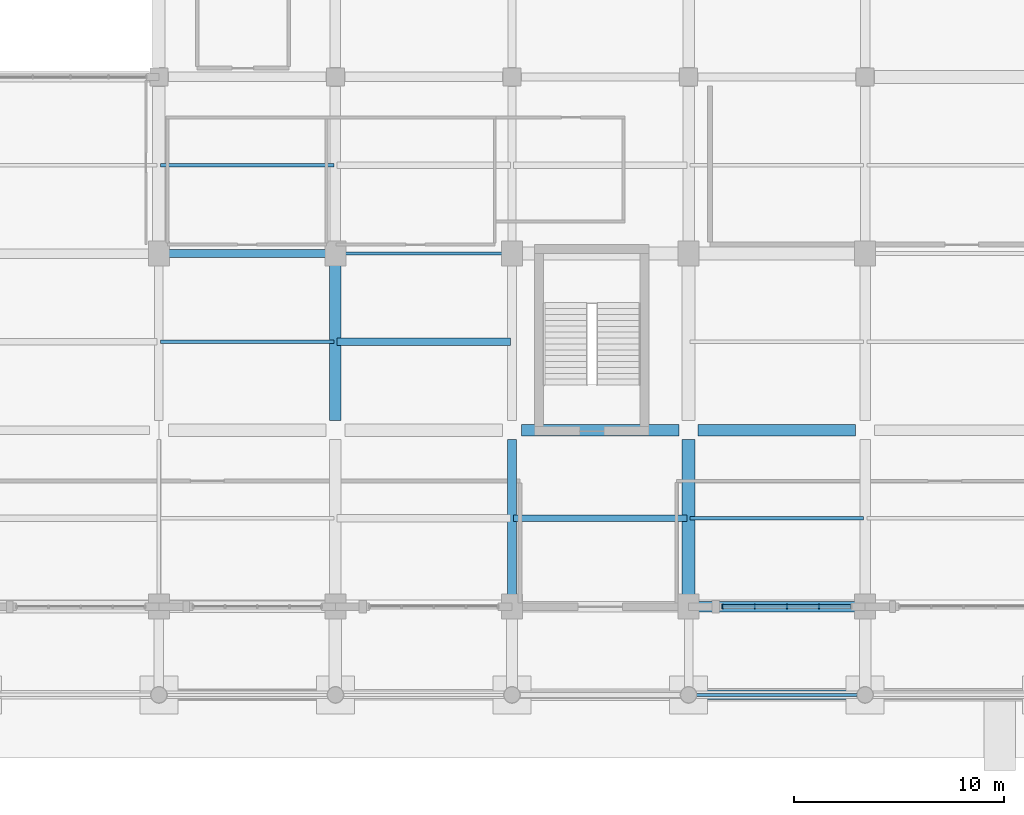
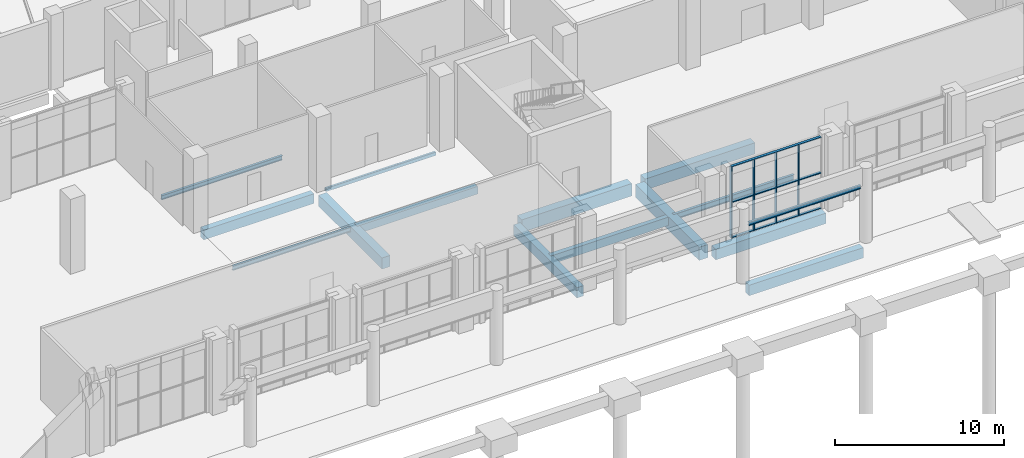
# One storey, part 48 of 82: 15 beams, 7 members, 1 element without a shape of its own.
"""IFC4 building model written with IfcOpenShell, lengths in metres."""

from ifc_helpers import new_model, si_unit, derived_unit, direction, frame, origin, origin_2d, place, context, subcontext, project, spatial, rectangle, hollow_rectangle, i_section, extrude, material, material_profile, profile_set, type_object, element, aggregate, save


model = new_model("IFC4")

# Units and contexts
model_context = context("Model", 3, precision=1e-05, world=origin(), true_north=direction((0.0, 1.0)))
body_context = subcontext(model_context, "Body", "Model", "MODEL_VIEW")
ifc_project = project(units=[si_unit("LENGTHUNIT", "METRE"), si_unit("AREAUNIT", "SQUARE_METRE"), si_unit("VOLUMEUNIT", "CUBIC_METRE"), si_unit("PLANEANGLEUNIT", "RADIAN"), si_unit("MASSUNIT", "GRAM", prefix="KILO"), derived_unit("THERMALTRANSMITTANCEUNIT", [(si_unit("POWERUNIT", "WATT"), 1), (si_unit("LENGTHUNIT", "METRE"), -2), (si_unit("THERMODYNAMICTEMPERATUREUNIT", "KELVIN"), -1)])], contexts=[model_context])

# Site, building, storey
site_placement = place(None, origin())
site = spatial("IfcSite", under=ifc_project, at=site_placement, CompositionType="ELEMENT")
building_placement = place(site_placement, origin())
building = spatial("IfcBuilding", under=site, at=building_placement, Name="Barrovel Congress Hotel", CompositionType="ELEMENT")
storey_placement = place(building_placement, origin())
storey = spatial("IfcBuildingStorey", under=building, at=storey_placement, Name="L00", CompositionType="ELEMENT", Elevation=0.0)

# Beams
ifc_material_1 = material(Name="Concrete C40", Category="concrete")
ifc_material_profile_1 = material_profile(ifc_material_1, rectangle(XDim=0.300048828125, YDim=0.60009765625, at=origin_2d()), Name="RC300x600")
ifc_profile_set_1 = profile_set([ifc_material_profile_1], Name="Concrete C40")
beam_type_1 = type_object("IfcBeamType", Name="BM-RC300x600", PredefinedType="JOIST", material=ifc_profile_set_1)
beam_1_placement = place(storey_placement, frame((142.8798828125, 8.39990234375, -0.6201171875), z_axis=(1.0, 0.0, 0.0), x_axis=(0.0, 1.0, 0.0)))
element("IfcBeam", 1, at=beam_1_placement, inside=storey, type_object=beam_type_1, Name="JST:L00:142.8:8.4", PredefinedType="JOIST", context=body_context, shape_type="SweptSolid", body=[
    extrude(rectangle(XDim=0.300048828125, YDim=0.60009765625, at=origin_2d()), origin(), (0.0, 0.0, 1.0), 8.240234375),
])
ifc_material_profile_2 = material_profile(ifc_material_1, rectangle(XDim=0.35009765625, YDim=0.550048828125, at=origin_2d()), Name="RC350x550")
ifc_profile_set_2 = profile_set([ifc_material_profile_2], Name="Concrete C40")
beam_type_2 = type_object("IfcBeamType", Name="BM-RC350x550", PredefinedType="JOIST", material=ifc_profile_set_2)
beam_2_placement = place(storey_placement, frame((134.47998046875, 16.800048828125, -0.594970703125), z_axis=(1.0, 0.0, 0.0), x_axis=(0.0, 1.0, 0.0)))
element("IfcBeam", 2, at=beam_2_placement, inside=storey, type_object=beam_type_2, Name="JST:L00:134.4:16.8", PredefinedType="JOIST", context=body_context, shape_type="SweptSolid", body=[
    extrude(rectangle(XDim=0.35009765625, YDim=0.550048828125, at=origin_2d()), origin(), (0.0, 0.0, 1.0), 8.239990234375),
])
ifc_material_profile_3 = material_profile(ifc_material_1, rectangle(XDim=0.39990234375, YDim=0.699951171875, at=origin_2d()), Name="RC400x700")
ifc_profile_set_3 = profile_set([ifc_material_profile_3], Name="Concrete C40")
beam_type_3 = type_object("IfcBeamType", Name="BM-RC400x700", PredefinedType="BEAM", material=ifc_profile_set_3)
beam_3_placement = place(storey_placement, frame((126.449951171875, 21.0, -0.669921875), z_axis=(1.0, 0.0, 0.0), x_axis=(0.0, 1.0, 0.0)))
element("IfcBeam", 3, at=beam_3_placement, inside=storey, type_object=beam_type_3, Name="BMX:L00:21.0:126.0-134.4", PredefinedType="BEAM", context=body_context, shape_type="SweptSolid", body=[
    extrude(rectangle(XDim=0.39990234375, YDim=0.699951171875, at=origin_2d()), origin(), (0.0, 0.0, 1.0), 7.5),
])
ifc_material_profile_4 = material_profile(ifc_material_1, rectangle(XDim=0.449951171875, YDim=0.75, at=origin_2d()), Name="RC450x750")
ifc_profile_set_4 = profile_set([ifc_material_profile_4], Name="Concrete C40")
beam_type_4 = type_object("IfcBeamType", Name="BM-RC450x750", PredefinedType="BEAM", material=ifc_profile_set_4)
beam_4_placement = place(storey_placement, frame((151.5, 0.0, -0.695068359375), z_axis=(1.0, 0.0, 0.0), x_axis=(0.0, 1.0, 0.0)))
element("IfcBeam", 4, at=beam_4_placement, inside=storey, type_object=beam_type_4, Name="BMX:L00:0.0:151.2-159.6", PredefinedType="BEAM", context=body_context, shape_type="SweptSolid", body=[
    extrude(rectangle(XDim=0.449951171875, YDim=0.75, at=origin_2d()), origin(), (0.0, 0.0, 1.0), 7.800048828125),
])
beam_5_placement = place(storey_placement, frame((142.800048828125, 4.64990234375, -0.695068359375), z_axis=(0.0, 1.0, 0.0), x_axis=(-1.0, 0.0, 0.0)))
element("IfcBeam", 5, at=beam_5_placement, inside=storey, type_object=beam_type_4, Name="BMY:L00:142.8:4.2-12.6", PredefinedType="BEAM", context=body_context, shape_type="SweptSolid", body=[
    extrude(rectangle(XDim=0.449951171875, YDim=0.75, at=origin_2d()), origin(), (0.0, 0.0, 1.0), 7.5),
])
ifc_material_profile_5 = material_profile(ifc_material_1, rectangle(XDim=0.5, YDim=0.75, at=origin_2d()), Name="RC500x750")
ifc_profile_set_5 = profile_set([ifc_material_profile_5], Name="Concrete C40")
beam_type_5 = type_object("IfcBeamType", Name="BM-RC500x750", PredefinedType="BEAM", material=ifc_profile_set_5)
beam_6_placement = place(storey_placement, frame((151.64990234375, 4.199951171875, -0.695068359375), z_axis=(1.0, 0.0, 0.0), x_axis=(0.0, 1.0, 0.0)))
element("IfcBeam", 6, at=beam_6_placement, inside=storey, type_object=beam_type_5, Name="BMX:L00:4.2:151.2-159.6", PredefinedType="BEAM", context=body_context, shape_type="SweptSolid", body=[
    extrude(rectangle(XDim=0.5, YDim=0.75, at=origin_2d()), origin(), (0.0, 0.0, 1.0), 7.5),
])
ifc_material_profile_6 = material_profile(ifc_material_1, rectangle(XDim=0.550048828125, YDim=0.800048828125, at=origin_2d()), Name="RC550x800")
ifc_profile_set_6 = profile_set([ifc_material_profile_6], Name="Concrete C40")
beam_type_6 = type_object("IfcBeamType", Name="BM-RC550x800", PredefinedType="BEAM", material=ifc_profile_set_6)
for number, where, z_axis, x_axis, name in (
    (7, (151.64990234375, 12.60009765625, -0.719970703125), (1.0, 0.0, 0.0), (0.0, 1.0, 0.0), "BMX:L00:12.6:151.2-159.6"),
    (8, (134.39990234375, 13.050048828125, -0.719970703125), (0.0, 1.0, 0.0), (-1.0, 0.0, 0.0), "BMY:L00:134.4:12.6-21.0"),
):
    element("IfcBeam", number, at=place(storey_placement, frame(where, z_axis=z_axis, x_axis=x_axis)), inside=storey, type_object=beam_type_6, Name=name, PredefinedType="BEAM", context=body_context, shape_type="SweptSolid", body=[
        extrude(rectangle(XDim=0.550048828125, YDim=0.800048828125, at=origin_2d()), origin(), (0.0, 0.0, 1.0), 7.5),
    ])
ifc_material_profile_7 = material_profile(ifc_material_1, rectangle(XDim=0.550048828125, YDim=0.89990234375, at=origin_2d()), Name="RC550x900")
ifc_profile_set_7 = profile_set([ifc_material_profile_7], Name="Concrete C40")
beam_type_7 = type_object("IfcBeamType", Name="BM-RC550x900", PredefinedType="BEAM", material=ifc_profile_set_7)
beam_7_placement = place(storey_placement, frame((143.25, 12.60009765625, -0.77001953125), z_axis=(1.0, 0.0, 0.0), x_axis=(0.0, 1.0, 0.0)))
element("IfcBeam", 9, at=beam_7_placement, inside=storey, type_object=beam_type_7, Name="BMX:L00:12.6:142.8-151.2", PredefinedType="BEAM", context=body_context, shape_type="SweptSolid", body=[
    extrude(rectangle(XDim=0.550048828125, YDim=0.89990234375, at=origin_2d()), origin(), (0.0, 0.0, 1.0), 7.5),
])
ifc_material_profile_8 = material_profile(ifc_material_1, rectangle(XDim=0.60009765625, YDim=0.949951171875, at=origin_2d()), Name="RC600x950")
ifc_profile_set_8 = profile_set([ifc_material_profile_8], Name="Concrete C40")
beam_type_8 = type_object("IfcBeamType", Name="BM-RC600x950", PredefinedType="BEAM", material=ifc_profile_set_8)
beam_8_placement = place(storey_placement, frame((151.199951171875, 4.64990234375, -0.794921875), z_axis=(0.0, 1.0, 0.0), x_axis=(-1.0, 0.0, 0.0)))
element("IfcBeam", 10, at=beam_8_placement, inside=storey, type_object=beam_type_8, Name="BMY:L00:151.2:4.2-12.6", PredefinedType="BEAM", context=body_context, shape_type="SweptSolid", body=[
    extrude(rectangle(XDim=0.60009765625, YDim=0.949951171875, at=origin_2d()), origin(), (0.0, 0.0, 1.0), 7.5),
])

# Curtain wall, members
ifc_material_2 = material(Name="Anodised Aluminium Alloy 6063-T6", Category="aluminium")
curtain_wall_type = type_object("IfcCurtainWallType", Name="CW-ST-7200x4800", PredefinedType="USERDEFINED", material=ifc_material_2)
curtain_wall_placement = place(storey_placement, origin())
curtain_wall = element("IfcCurtainWall", 11, at=curtain_wall_placement, inside=storey, type_object=curtain_wall_type, Name="CW:L00:S:18", ObjectType="STICK CURTAIN WALL", PredefinedType="USERDEFINED")
ifc_material_profile_9 = material_profile(ifc_material_2, rectangle(XDim=0.06494140625, YDim=0.219970703125, at=origin_2d()), Name="AL-M65x220")
ifc_profile_set_9 = profile_set([ifc_material_profile_9], Name="Anodised Aluminium Alloy 6063-T6")
member_type_1 = type_object("IfcMemberType", Name="CWM-AL-M65x220", PredefinedType="MULLION", material=ifc_profile_set_9)
member_1_placement = place(storey_placement, frame((152.820068359375, 4.199951171875, 0.0), z_axis=(0.0, 0.0, 1.0), x_axis=(1.0, 0.0, 0.0)))
member_1 = element("IfcMember", 12, at=member_1_placement, type_object=member_type_1, Name="CW:L00:S:18:M0", PredefinedType="MULLION", context=body_context, shape_type="SweptSolid", body=[
    extrude(rectangle(XDim=0.06494140625, YDim=0.219970703125, at=origin_2d()), origin(), (0.0, 0.0, 1.0), 5.1201171875),
])
member_2_placement = place(storey_placement, frame((154.35009765625, 4.199951171875, 0.0), z_axis=(0.0, 0.0, 1.0), x_axis=(1.0, 0.0, 0.0)))
member_2 = element("IfcMember", 13, at=member_2_placement, type_object=member_type_1, Name="CW:L00:S:18:M1", PredefinedType="MULLION", context=body_context, shape_type="SweptSolid", body=[
    extrude(rectangle(XDim=0.06494140625, YDim=0.219970703125, at=origin_2d()), origin(), (0.0, 0.0, 1.0), 5.1201171875),
])
member_3_placement = place(storey_placement, frame((155.8798828125, 4.199951171875, 0.0), z_axis=(0.0, 0.0, 1.0), x_axis=(1.0, 0.0, 0.0)))
member_3 = element("IfcMember", 14, at=member_3_placement, type_object=member_type_1, Name="CW:L00:S:18:M2", PredefinedType="MULLION", context=body_context, shape_type="SweptSolid", body=[
    extrude(rectangle(XDim=0.06494140625, YDim=0.219970703125, at=origin_2d()), origin(), (0.0, 0.0, 1.0), 5.1201171875),
])
member_4_placement = place(storey_placement, frame((157.409912109375, 4.199951171875, 0.0), z_axis=(0.0, 0.0, 1.0), x_axis=(1.0, 0.0, 0.0)))
member_4 = element("IfcMember", 15, at=member_4_placement, type_object=member_type_1, Name="CW:L00:S:18:M3", PredefinedType="MULLION", context=body_context, shape_type="SweptSolid", body=[
    extrude(rectangle(XDim=0.06494140625, YDim=0.219970703125, at=origin_2d()), origin(), (0.0, 0.0, 1.0), 5.1201171875),
])
ifc_material_profile_10 = material_profile(ifc_material_2, rectangle(XDim=0.179931640625, YDim=0.06494140625, at=origin_2d()), Name="AL-T65x180")
ifc_profile_set_10 = profile_set([ifc_material_profile_10], Name="Anodised Aluminium Alloy 6063-T6")
member_type_2 = type_object("IfcMemberType", Name="CWT-AL-T65x180", PredefinedType="USERDEFINED", material=ifc_profile_set_10)
member_5_placement = place(storey_placement, frame((152.820068359375, 4.199951171875, 0.0), z_axis=(1.0, 0.0, 0.0), x_axis=(0.0, 1.0, 0.0)))
member_5 = element("IfcMember", 16, at=member_5_placement, type_object=member_type_2, Name="CW:L00:S:18:T0", ObjectType="TRANSOM", PredefinedType="USERDEFINED", context=body_context, shape_type="SweptSolid", body=[
    extrude(rectangle(XDim=0.179931640625, YDim=0.06494140625, at=origin_2d()), origin(), (0.0, 0.0, 1.0), 6.119873046875),
])
member_6_placement = place(storey_placement, frame((152.820068359375, 4.199951171875, 2.56005859375), z_axis=(1.0, 0.0, 0.0), x_axis=(0.0, 1.0, 0.0)))
member_6 = element("IfcMember", 17, at=member_6_placement, type_object=member_type_2, Name="CW:L00:S:18:T1", ObjectType="TRANSOM", PredefinedType="USERDEFINED", context=body_context, shape_type="SweptSolid", body=[
    extrude(rectangle(XDim=0.179931640625, YDim=0.06494140625, at=origin_2d()), origin(), (0.0, 0.0, 1.0), 6.119873046875),
])
member_7_placement = place(storey_placement, frame((152.820068359375, 4.199951171875, 5.1201171875), z_axis=(1.0, 0.0, 0.0), x_axis=(0.0, 1.0, 0.0)))
member_7 = element("IfcMember", 18, at=member_7_placement, type_object=member_type_2, Name="CW:L00:S:18:T2", ObjectType="TRANSOM", PredefinedType="USERDEFINED", context=body_context, shape_type="SweptSolid", body=[
    extrude(rectangle(XDim=0.179931640625, YDim=0.06494140625, at=origin_2d()), origin(), (0.0, 0.0, 1.0), 6.119873046875),
])
aggregate(curtain_wall, [member_1, member_2, member_3, member_4, member_5, member_6, member_7])

# Beams
ifc_material_3 = material(Name="Steel ASTM A500 Grade C", Category="steel")
ifc_material_profile_11 = material_profile(ifc_material_3, hollow_rectangle(XDim=0.15234375, YDim=0.25390625, WallThickness=0.0087890625, InnerFilletRadius=0.0087890625, OuterFilletRadius=0.017578125, at=origin_2d()), Name="HSS254x152x9.5")
ifc_profile_set_11 = profile_set([ifc_material_profile_11], Name="Steel ASTM A500 Grade C")
beam_type_9 = type_object("IfcBeamType", Name="SBM-HSS254x152x9.5", PredefinedType="SPANDREL", material=ifc_profile_set_11)
beam_9_placement = place(storey_placement, frame((134.85009765625, 21.0, -0.447021484375), z_axis=(1.0, 0.0, 0.0), x_axis=(0.0, 1.0, 0.0)))
element("IfcBeam", 19, at=beam_9_placement, inside=storey, type_object=beam_type_9, Name="BMX:L00:21.0:134.4-142.8", PredefinedType="SPANDREL", context=body_context, shape_type="SweptSolid", body=[
    extrude(hollow_rectangle(XDim=0.15234375, YDim=0.25390625, WallThickness=0.0087890625, InnerFilletRadius=0.0087890625, OuterFilletRadius=0.017578125, at=origin_2d()), origin(), (0.0, 0.0, 1.0), 7.5),
])
ifc_material_4 = material(Name="Steel ASTM A992 Grade 50", Category="steel")
ifc_material_profile_12 = material_profile(ifc_material_4, i_section(OverallWidth=0.14599609375, OverallDepth=0.258056640625, WebThickness=0.006103515625, FlangeThickness=0.009033203125, FilletRadius=0.010009765625, at=origin_2d()), Name="W250x33")
ifc_profile_set_12 = profile_set([ifc_material_profile_12], Name="Steel ASTM A992 Grade 50")
beam_type_10 = type_object("IfcBeamType", Name="SBM-W250x33", PredefinedType="LINTEL", material=ifc_profile_set_12)
beam_10_placement = place(storey_placement, frame((151.574951171875, 0.0, 3.970947265625), z_axis=(1.0, 0.0, 0.0), x_axis=(0.0, 1.0, 0.0)))
element("IfcBeam", 20, at=beam_10_placement, inside=storey, type_object=beam_type_10, Name="LIN:L00:151.2-159.6", PredefinedType="LINTEL", context=body_context, shape_type="SweptSolid", body=[
    extrude(i_section(OverallWidth=0.14599609375, OverallDepth=0.258056640625, WebThickness=0.006103515625, FlangeThickness=0.009033203125, FilletRadius=0.010009765625, at=origin_2d()), origin(), (0.0, 0.0, 1.0), 7.650146484375),
])
ifc_material_profile_13 = material_profile(ifc_material_4, i_section(OverallWidth=0.1650390625, OverallDepth=0.31005859375, WebThickness=0.005859375, FlangeThickness=0.009765625, FilletRadius=0.010986328125, at=origin_2d()), Name="W310x39")
ifc_profile_set_13 = profile_set([ifc_material_profile_13], Name="Steel ASTM A992 Grade 50")
beam_type_11 = type_object("IfcBeamType", Name="SBM-W310x39", PredefinedType="JOIST", material=ifc_profile_set_13)
beam_11_placement = place(storey_placement, frame((126.080078125, 25.199951171875, -0.47509765625), z_axis=(1.0, 0.0, 0.0), x_axis=(0.0, 1.0, 0.0)))
element("IfcBeam", 21, at=beam_11_placement, inside=storey, type_object=beam_type_11, Name="JST:L00:126.0:25.2", PredefinedType="JOIST", context=body_context, shape_type="SweptSolid", body=[
    extrude(i_section(OverallWidth=0.1650390625, OverallDepth=0.31005859375, WebThickness=0.005859375, FlangeThickness=0.009765625, FilletRadius=0.010986328125, at=origin_2d()), origin(), (0.0, 0.0, 1.0), 8.239990234375),
])
ifc_material_profile_14 = material_profile(ifc_material_4, i_section(OverallWidth=0.1669921875, OverallDepth=0.31689453125, WebThickness=0.007568359375, FlangeThickness=0.01318359375, FilletRadius=0.010986328125, at=origin_2d()), Name="W310x52")
ifc_profile_set_14 = profile_set([ifc_material_profile_14], Name="Steel ASTM A992 Grade 50")
beam_type_12 = type_object("IfcBeamType", Name="SBM-W310x52", PredefinedType="JOIST", material=ifc_profile_set_14)
beam_12_placement = place(storey_placement, frame((126.080078125, 16.800048828125, -0.478515625), z_axis=(1.0, 0.0, 0.0), x_axis=(0.0, 1.0, 0.0)))
element("IfcBeam", 22, at=beam_12_placement, inside=storey, type_object=beam_type_12, Name="JST:L00:126.0:16.8", PredefinedType="JOIST", context=body_context, shape_type="SweptSolid", body=[
    extrude(i_section(OverallWidth=0.1669921875, OverallDepth=0.31689453125, WebThickness=0.007568359375, FlangeThickness=0.01318359375, FilletRadius=0.010986328125, at=origin_2d()), origin(), (0.0, 0.0, 1.0), 8.239990234375),
])
ifc_material_profile_15 = material_profile(ifc_material_4, i_section(OverallWidth=0.177001953125, OverallDepth=0.403076171875, WebThickness=0.007568359375, FlangeThickness=0.010986328125, FilletRadius=0.011962890625, at=origin_2d()), Name="W410x53")
ifc_profile_set_15 = profile_set([ifc_material_profile_15], Name="Steel ASTM A992 Grade 50")
beam_type_13 = type_object("IfcBeamType", Name="SBM-W410x53", PredefinedType="JOIST", material=ifc_profile_set_15)
beam_13_placement = place(storey_placement, frame((151.280029296875, 8.39990234375, -0.521484375), z_axis=(1.0, 0.0, 0.0), x_axis=(0.0, 1.0, 0.0)))
element("IfcBeam", 23, at=beam_13_placement, inside=storey, type_object=beam_type_13, Name="JST:L00:151.2:8.4", PredefinedType="JOIST", context=body_context, shape_type="SweptSolid", body=[
    extrude(i_section(OverallWidth=0.177001953125, OverallDepth=0.403076171875, WebThickness=0.007568359375, FlangeThickness=0.010986328125, FilletRadius=0.011962890625, at=origin_2d()), origin(), (0.0, 0.0, 1.0), 8.239990234375),
])

save(model, "model.ifc")
